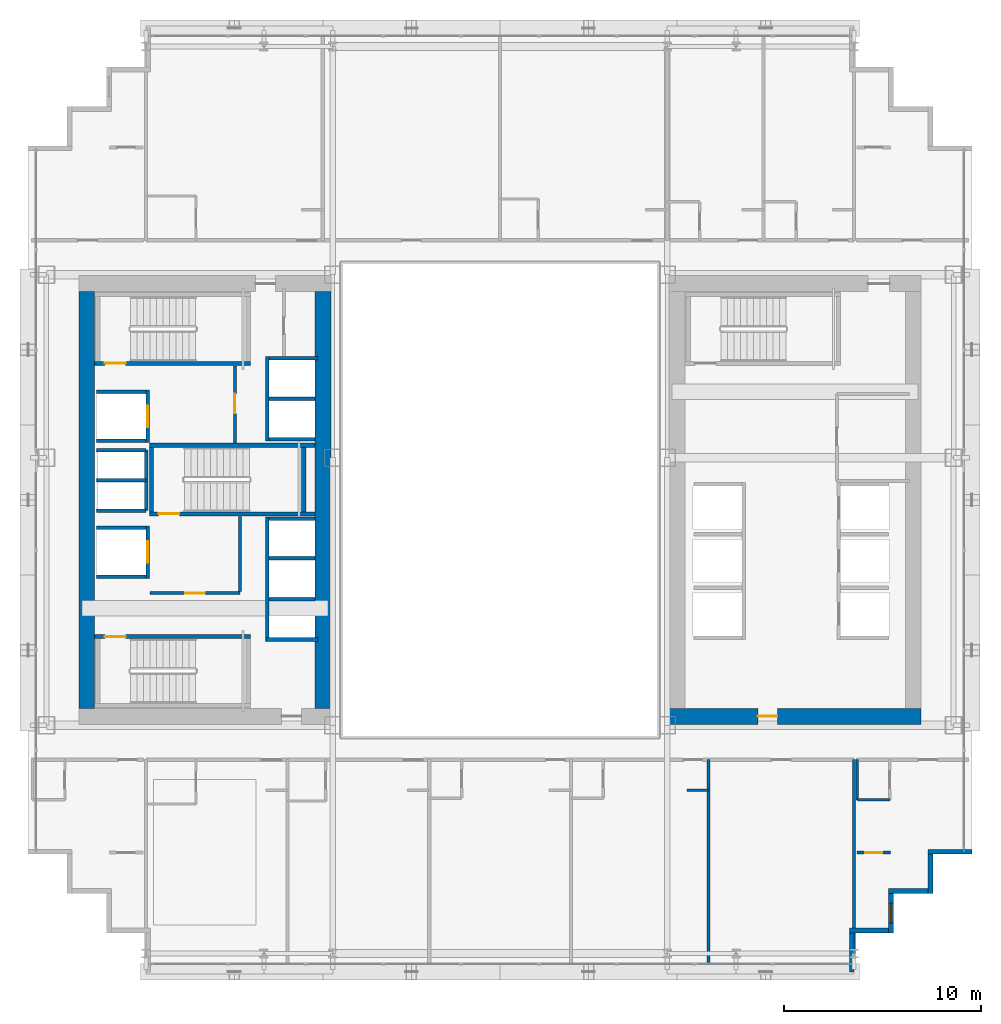
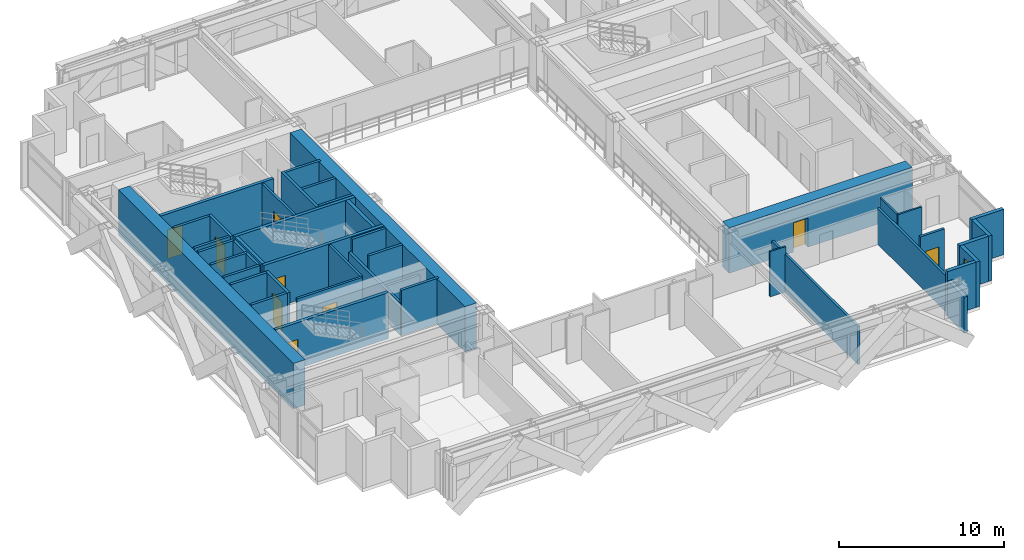
# One storey, part 28 of 35: 43 walls, 9 doors, 1 window, 10 openings.
"""IFC4 building model written with IfcOpenShell, lengths in metres."""

from ifc_helpers import new_model, si_unit, direction, frame, frame_2d, origin, place, context, subcontext, project, spatial, rectangle, extrude, source, transform, mapped, material, layer, layer_set, type_object, element, fill, save


model = new_model("IFC4")

# Units and contexts
model_context = context("Model", 3, precision=1e-05, world=origin(), true_north=direction((0.0, 1.0)))
body_context = subcontext(model_context, "Body", "Model", "MODEL_VIEW")
ifc_project = project(units=[si_unit("LENGTHUNIT", "METRE"), si_unit("AREAUNIT", "SQUARE_METRE"), si_unit("VOLUMEUNIT", "CUBIC_METRE"), si_unit("PLANEANGLEUNIT", "RADIAN"), si_unit("MASSUNIT", "GRAM", prefix="KILO")], contexts=[model_context])

# Site, building, storey
site_placement = place(None, origin())
site = spatial("IfcSite", under=ifc_project, at=site_placement, CompositionType="ELEMENT")
building_placement = place(site_placement, origin())
building = spatial("IfcBuilding", under=site, at=building_placement, Name="Ocotamira Hotel", CompositionType="ELEMENT")
storey_placement = place(building_placement, frame((0.0, 0.0, 78.0)))
storey = spatial("IfcBuildingStorey", under=building, at=storey_placement, Name="L19", CompositionType="ELEMENT", Elevation=78.0)

# Walls
ifc_material_1 = material(Name="Concrete C60/75", Category="concrete")
ifc_layer_1 = layer(ifc_material_1, 0.800048828125)
ifc_layer_set_1 = layer_set([ifc_layer_1], Name="Concrete C60/75")
wall_type_1 = type_object("IfcWallType", Name="WL-CORE-800", PredefinedType="SHEAR", material=ifc_layer_set_1)
for number, where, z_axis, x_axis, name in (
    (1, (11.0, 15.39990234375, 0.0), (0.0, 0.0, 1.0), (0.0, 1.0, 0.0), "L19 Shear Core Wall WCORE-W"),
    (2, (23.0, 15.39990234375, 0.0), (0.0, 0.0, 1.0), (0.0, 1.0, 0.0), "L19 Shear Core Wall WCORE-E"),
):
    element("IfcWall", number, at=place(storey_placement, frame(where, z_axis=z_axis, x_axis=x_axis)), inside=storey, type_object=wall_type_1, Name=name, PredefinedType="SHEAR", context=body_context, shape_type="SweptSolid", body=[
        extrude(rectangle(XDim=21.2001953125, YDim=0.800048828125, at=frame_2d((10.60009765625, 0.0))), origin(), (0.0, 0.0, 1.0), 3.35009765625),
    ])

# Wall, opening, door
wall_1_placement = place(storey_placement, frame((40.60009765625, 15.0, 0.0), z_axis=(0.0, 0.0, 1.0), x_axis=(1.0, 0.0, 0.0)))
wall_1 = element("IfcWall", 3, at=wall_1_placement, inside=storey, type_object=wall_type_1, Name="L19 Shear Core Wall ECORE-S", PredefinedType="SHEAR", context=body_context, shape_type="SweptSolid", body=[
    extrude(rectangle(XDim=12.7998046875, YDim=0.800048828125, at=frame_2d((6.39990234375, 0.0))), origin(), (0.0, 0.0, 1.0), 3.35009765625),
])
opening_1_placement = place(wall_1_placement, frame((4.5, 0.0, 0.0)))
opening_1 = element("IfcOpeningElement", 4, at=opening_1_placement, cuts=wall_1, Name="Opening D-FR2", PredefinedType="OPENING", context=body_context, shape_type="SweptSolid", body=[
    extrude(rectangle(XDim=1.0, YDim=2.14990234375, at=frame_2d((0.5, 1.074951171875))), frame((0.0, 0.41015625, 0.0), z_axis=(0.0, -1.0, 0.0), x_axis=(1.0, 0.0, 0.0)), (0.0, 0.0, 1.0), 0.820068359375),
])
ifc_material_2 = material(Name="Fire-rated acoustic timber-veneer door", Category="wood")
door_type_1 = type_object("IfcDoorType", Name="DR-FIRE-1000", OperationType="NOTDEFINED", PredefinedType="DOOR", material=ifc_material_2)
shared_shape_1 = source(origin(), body_context, "Body", "SweptSolid", [
    extrude(rectangle(XDim=1.0, YDim=2.14990234375, at=frame_2d((0.5, 1.074951171875))), frame((0.0, 0.02490234375, 0.0), z_axis=(0.0, -1.0, 0.0), x_axis=(1.0, 0.0, 0.0)), (0.0, 0.0, 1.0), 0.050048828125),
])
door_1_placement = place(opening_1_placement, origin())
door_1 = element("IfcDoor", 5, at=door_1_placement, inside=storey, type_object=door_type_1, Name="L19 Door ID-L19-ELOB-S-D [ID-L19-ELOB-S-D]", OperationType="SINGLE_SWING_RIGHT", OverallHeight=2.14990234375, OverallWidth=1.0, PredefinedType="DOOR", context=body_context, shape_type="MappedRepresentation", body=[
    mapped(shared_shape_1, transform((0.0, 0.0, 0.0), scale=1.0)),
])
fill(opening_1, door_1)

# Walls
ifc_material_3 = material(Name="Precast concrete C45/55", Category="concrete")
ifc_layer_2 = layer(ifc_material_3, 0.25)
ifc_layer_set_2 = layer_set([ifc_layer_2], Name="Precast concrete C45/55")
wall_type_2 = type_object("IfcWallType", Name="WL-EXT-SER-250", PredefinedType="SOLIDWALL", material=ifc_layer_set_2)
wall_2_placement = place(storey_placement, frame((49.875, 2.0, 0.0), z_axis=(0.0, 0.0, 1.0), x_axis=(0.0, 1.0, 0.0)))
element("IfcWall", 6, at=wall_2_placement, inside=storey, type_object=wall_type_2, Name="L19 Serrated Corner Wall 01", PredefinedType="SOLIDWALL", context=body_context, shape_type="SweptSolid", body=[
    extrude(rectangle(XDim=2.0, YDim=0.25, at=frame_2d((1.0, 0.0))), origin(), (0.0, 0.0, 1.0), 2.656982421875),
])
wall_3_placement = place(storey_placement, frame((49.75, 4.125, 0.0), z_axis=(0.0, 0.0, 1.0), x_axis=(1.0, 0.0, 0.0)))
element("IfcWall", 7, at=wall_3_placement, inside=storey, type_object=wall_type_2, Name="L19 Serrated Corner Wall 02", PredefinedType="SOLIDWALL", context=body_context, shape_type="SweptSolid", body=[
    extrude(rectangle(XDim=2.0, YDim=0.25, at=frame_2d((1.0, 0.0))), origin(), (0.0, 0.0, 1.0), 3.35009765625),
])

# Wall, opening, window
wall_4_placement = place(storey_placement, frame((51.875, 4.0, 0.0), z_axis=(0.0, 0.0, 1.0), x_axis=(0.0, 1.0, 0.0)))
wall_4 = element("IfcWall", 8, at=wall_4_placement, inside=storey, type_object=wall_type_2, Name="L19 Serrated Corner Wall 03", PredefinedType="SOLIDWALL", context=body_context, shape_type="SweptSolid", body=[
    extrude(rectangle(XDim=2.0, YDim=0.25, at=frame_2d((1.0, 0.0))), origin(), (0.0, 0.0, 1.0), 3.35009765625),
])
opening_2_placement = place(wall_4_placement, frame((0.5, 0.0, 0.85009765625)))
opening_2 = element("IfcOpeningElement", 9, at=opening_2_placement, cuts=wall_4, Name="Opening WN-2", PredefinedType="OPENING", context=body_context, shape_type="SweptSolid", body=[
    extrude(rectangle(XDim=1.0, YDim=1.89990234375, at=frame_2d((0.5, 0.949951171875))), frame((0.0, 0.135009765625, 0.0), z_axis=(0.0, -1.0, 0.0), x_axis=(1.0, 0.0, 0.0)), (0.0, 0.0, 1.0), 0.27001953125),
])
ifc_material_4 = material(Name="Double-silver low-E solar glass", Category="glass")
window_type = type_object("IfcWindowType", Name="WIN-SER-1100", PartitioningType="SINGLE_PANEL", PredefinedType="WINDOW", material=ifc_material_4)
shared_shape_2 = source(origin(), body_context, "Body", "SweptSolid", [
    extrude(rectangle(XDim=1.0, YDim=1.89990234375, at=frame_2d((0.5, 0.949951171875))), frame((0.0, 0.030029296875, 0.0), z_axis=(0.0, -1.0, 0.0), x_axis=(1.0, 0.0, 0.0)), (0.0, 0.0, 1.0), 0.06005859375),
])
window_placement = place(opening_2_placement, origin())
window = element("IfcWindow", 10, at=window_placement, inside=storey, type_object=window_type, Name="L19 Serrated Corner Window 03", OverallHeight=1.89990234375, OverallWidth=1.0, PartitioningType="SINGLE_PANEL", PredefinedType="WINDOW", context=body_context, shape_type="MappedRepresentation", body=[
    mapped(shared_shape_2, transform((0.0, 0.0, 0.0), scale=1.0)),
])
fill(opening_2, window)

# Walls
for number, where, z_axis, x_axis, name in (
    (11, (51.75, 6.125, 0.0), (0.0, 0.0, 1.0), (1.0, 0.0, 0.0), "L19 Serrated Corner Wall 04"),
    (12, (53.875, 6.0, 0.0), (0.0, 0.0, 1.0), (0.0, 1.0, 0.0), "L19 Serrated Corner Wall 05"),
):
    element("IfcWall", number, at=place(storey_placement, frame(where, z_axis=z_axis, x_axis=x_axis)), inside=storey, type_object=wall_type_2, Name=name, PredefinedType="SOLIDWALL", context=body_context, shape_type="SweptSolid", body=[
        extrude(rectangle(XDim=2.0, YDim=0.25, at=frame_2d((1.0, 0.0))), origin(), (0.0, 0.0, 1.0), 3.35009765625),
    ])
wall_5_placement = place(storey_placement, frame((53.75, 8.125, 0.0), z_axis=(0.0, 0.0, 1.0), x_axis=(1.0, 0.0, 0.0)))
element("IfcWall", 13, at=wall_5_placement, inside=storey, type_object=wall_type_2, Name="L19 Serrated Corner Wall 06", PredefinedType="SOLIDWALL", context=body_context, shape_type="SweptSolid", body=[
    extrude(rectangle(XDim=2.25, YDim=0.25, at=frame_2d((1.125, 0.0))), origin(), (0.0, 0.0, 1.0), 3.35009765625),
])

# Wall, opening, door
ifc_material_5 = material(Name="Acoustic double-layer fire gypsum board partition", Category="gypsum")
ifc_layer_3 = layer(ifc_material_5, 0.159912109375)
ifc_layer_set_3 = layer_set([ifc_layer_3], Name="Acoustic double-layer fire gypsum board partition")
wall_type_3 = type_object("IfcWallType", Name="WL-FIRE-160", PredefinedType="PARTITIONING", material=ifc_layer_set_3)
wall_6_placement = place(storey_placement, frame((14.199951171875, 21.27001953125, 0.0), z_axis=(0.0, 0.0, 1.0), x_axis=(1.0, 0.0, 0.0)))
wall_6 = element("IfcWall", 14, at=wall_6_placement, inside=storey, type_object=wall_type_3, Name="L19 Interior Wall PW-L19-FSAE1-S", PredefinedType="PARTITIONING", context=body_context, shape_type="SweptSolid", body=[
    extrude(rectangle(XDim=4.580078125, YDim=0.159912109375, at=frame_2d((2.2900390625, 0.0))), origin(), (0.0, 0.0, 1.0), 3.35009765625),
])
opening_3_placement = place(wall_6_placement, frame((1.800048828125, 0.0, 0.0)))
opening_3 = element("IfcOpeningElement", 15, at=opening_3_placement, cuts=wall_6, Name="Opening D-FR2", PredefinedType="OPENING", context=body_context, shape_type="SweptSolid", body=[
    extrude(rectangle(XDim=1.0, YDim=2.14990234375, at=frame_2d((0.5, 1.074951171875))), frame((0.0, 0.08984375, 0.0), z_axis=(0.0, -1.0, 0.0), x_axis=(1.0, 0.0, 0.0)), (0.0, 0.0, 1.0), 0.179931640625),
])
door_2_placement = place(opening_3_placement, origin())
door_2 = element("IfcDoor", 16, at=door_2_placement, inside=storey, type_object=door_type_1, Name="L19 Door ID-L19-FSAE1-D [ID-L19-FSAE1-D]", OperationType="SINGLE_SWING_LEFT", OverallHeight=2.14990234375, OverallWidth=1.0, PredefinedType="DOOR", context=body_context, shape_type="MappedRepresentation", body=[
    mapped(shared_shape_1, transform((0.0, 0.0, 0.0), scale=1.0)),
])
fill(opening_3, door_2)

# Wall
wall_7_placement = place(storey_placement, frame((18.780029296875, 21.35009765625, 0.0), z_axis=(0.0, 0.0, 1.0), x_axis=(0.0, 1.0, 0.0)))
element("IfcWall", 17, at=wall_7_placement, inside=storey, type_object=wall_type_3, Name="L19 Interior Wall PW-L19-FSAE1-E", PredefinedType="PARTITIONING", context=body_context, shape_type="SweptSolid", body=[
    extrude(rectangle(XDim=3.809814453125, YDim=0.159912109375, at=frame_2d((1.90478515625, 0.0))), origin(), (0.0, 0.0, 1.0), 3.35009765625),
])

# Wall, opening, door
wall_8_placement = place(storey_placement, frame((18.530029296875, 28.89990234375, 0.0), z_axis=(0.0, 0.0, 1.0), x_axis=(0.0, 1.0, 0.0)))
wall_8 = element("IfcWall", 18, at=wall_8_placement, inside=storey, type_object=wall_type_3, Name="L19 Interior Wall PW-L19-FSAE2-E", PredefinedType="PARTITIONING", context=body_context, shape_type="SweptSolid", body=[
    extrude(rectangle(XDim=3.900146484375, YDim=0.159912109375, at=frame_2d((1.9501953125, 0.0))), origin(), (0.0, 0.0, 1.0), 3.35009765625),
])
opening_4_placement = place(wall_8_placement, frame((1.5, 0.0, 0.0)))
opening_4 = element("IfcOpeningElement", 19, at=opening_4_placement, cuts=wall_8, Name="Opening D-FR2", PredefinedType="OPENING", context=body_context, shape_type="SweptSolid", body=[
    extrude(rectangle(XDim=1.0, YDim=2.14990234375, at=frame_2d((0.5, 1.074951171875))), frame((0.0, 0.08984375, 0.0), z_axis=(0.0, -1.0, 0.0), x_axis=(1.0, 0.0, 0.0)), (0.0, 0.0, 1.0), 0.179931640625),
])
door_3_placement = place(opening_4_placement, origin())
door_3 = element("IfcDoor", 20, at=door_3_placement, inside=storey, type_object=door_type_1, Name="L19 Door ID-L19-FSAE2-D [ID-L19-FSAE2-D]", OperationType="SINGLE_SWING_RIGHT", OverallHeight=2.14990234375, OverallWidth=1.0, PredefinedType="DOOR", context=body_context, shape_type="MappedRepresentation", body=[
    mapped(shared_shape_1, transform((0.0, 0.0, 0.0), scale=1.0)),
])
fill(opening_4, door_3)

wall_9_placement = place(storey_placement, frame((50.14990234375, 8.080078125, 0.0), z_axis=(0.0, 0.0, 1.0), x_axis=(1.0, 0.0, 0.0)))
wall_9 = element("IfcWall", 21, at=wall_9_placement, inside=storey, type_object=wall_type_3, Name="L19 Interior Wall PW-L19-Z1E-CSE2-CW", PredefinedType="PARTITIONING", context=body_context, shape_type="SweptSolid", body=[
    extrude(rectangle(XDim=1.7001953125, YDim=0.159912109375, at=frame_2d((0.85009765625, 0.0))), origin(), (0.0, 0.0, 1.0), 3.35009765625),
])
opening_5_placement = place(wall_9_placement, frame((0.409912109375, 0.0, 0.0)))
opening_5 = element("IfcOpeningElement", 22, at=opening_5_placement, cuts=wall_9, Name="Opening D-SV2", PredefinedType="OPENING", context=body_context, shape_type="SweptSolid", body=[
    extrude(rectangle(XDim=0.8798828125, YDim=2.14990234375, at=frame_2d((0.43994140625, 1.074951171875))), frame((0.0, 0.08984375, 0.0), z_axis=(0.0, -1.0, 0.0), x_axis=(1.0, 0.0, 0.0)), (0.0, 0.0, 1.0), 0.179931640625),
])
ifc_material_6 = material(Name="Fire-rated painted steel service door", Category="steel")
door_type_2 = type_object("IfcDoorType", Name="DR-SERV-880", OperationType="NOTDEFINED", PredefinedType="DOOR", material=ifc_material_6)
shared_shape_3 = source(origin(), body_context, "Body", "SweptSolid", [
    extrude(rectangle(XDim=0.8798828125, YDim=2.14990234375, at=frame_2d((0.43994140625, 1.074951171875))), frame((0.0, 0.02490234375, 0.0), z_axis=(0.0, -1.0, 0.0), x_axis=(1.0, 0.0, 0.0)), (0.0, 0.0, 1.0), 0.050048828125),
])
door_4_placement = place(opening_5_placement, origin())
door_4 = element("IfcDoor", 23, at=door_4_placement, inside=storey, type_object=door_type_2, Name="L19 Door ID-L19-Z1E-CSE2-CD [ID-L19-Z1E-CSE2-CD]", OperationType="SINGLE_SWING_LEFT", OverallHeight=2.14990234375, OverallWidth=0.8798828125, PredefinedType="DOOR", context=body_context, shape_type="MappedRepresentation", body=[
    mapped(shared_shape_3, transform((0.0, 0.0, 0.0), scale=1.0)),
])
fill(opening_5, door_4)

# Walls
ifc_material_7 = material(Name="Moisture-resistant en-suite tile and gypsum partition", Category="gypsum")
ifc_layer_4 = layer(ifc_material_7, 0.1201171875)
ifc_layer_set_4 = layer_set([ifc_layer_4], Name="Moisture-resistant en-suite tile and gypsum partition")
wall_type_4 = type_object("IfcWallType", Name="WL-PART-120", PredefinedType="PARTITIONING", material=ifc_layer_set_4)
wall_10_placement = place(storey_placement, frame((50.159912109375, 10.760009765625, 0.0), z_axis=(0.0, 0.0, 1.0), x_axis=(0.0, 1.0, 0.0)))
element("IfcWall", 24, at=wall_10_placement, inside=storey, type_object=wall_type_4, Name="L19 Interior Wall PW-L19-Z1E-CSE-BW", PredefinedType="PARTITIONING", context=body_context, shape_type="SweptSolid", body=[
    extrude(rectangle(XDim=2.0400390625, YDim=0.1201171875, at=frame_2d((1.02001953125, 0.0))), origin(), (0.0, 0.0, 1.0), 3.35009765625),
])
wall_11_placement = place(storey_placement, frame((50.159912109375, 10.760009765625, 0.0), z_axis=(0.0, 0.0, 1.0), x_axis=(1.0, 0.0, 0.0)))
element("IfcWall", 25, at=wall_11_placement, inside=storey, type_object=wall_type_4, Name="L19 Interior Wall PW-L19-Z1E-CSE-BH", PredefinedType="PARTITIONING", context=body_context, shape_type="SweptSolid", body=[
    extrude(rectangle(XDim=1.650146484375, YDim=0.1201171875, at=frame_2d((0.8251953125, 0.0))), origin(), (0.0, 0.0, 1.0), 3.35009765625),
])
wall_12_placement = place(storey_placement, frame((41.5, 11.25, 0.0), z_axis=(0.0, 0.0, 1.0), x_axis=(1.0, 0.0, 0.0)))
element("IfcWall", 26, at=wall_12_placement, inside=storey, type_object=wall_type_4, Name="L19 Interior Wall PW-L19-Z1ES-DRN4", PredefinedType="PARTITIONING", context=body_context, shape_type="SweptSolid", body=[
    extrude(rectangle(XDim=1.10009765625, YDim=0.1201171875, at=frame_2d((0.550048828125, 0.0))), origin(), (0.0, 0.0, 1.0), 3.35009765625),
])
ifc_material_8 = material(Name="Acoustic double-stud hospitality gypsum partition", Category="gypsum")
ifc_layer_5 = layer(ifc_material_8, 0.159912109375)
ifc_layer_set_5 = layer_set([ifc_layer_5], Name="Acoustic double-stud hospitality gypsum partition")
wall_type_5 = type_object("IfcWallType", Name="WL-PART-160", PredefinedType="PARTITIONING", material=ifc_layer_set_5)
wall_13_placement = place(storey_placement, frame((50.0, 2.360107421875, 0.0), z_axis=(0.0, 0.0, 1.0), x_axis=(0.0, 1.0, 0.0)))
element("IfcWall", 27, at=wall_13_placement, inside=storey, type_object=wall_type_5, Name="L19 Interior Wall PW-L19-Z1ES-PWEND", PredefinedType="PARTITIONING", context=body_context, shape_type="SweptSolid", body=[
    extrude(rectangle(XDim=10.43994140625, YDim=0.159912109375, at=frame_2d((5.219970703125, 0.0))), origin(), (0.0, 0.0, 1.0), 2.656982421875),
])
wall_14_placement = place(storey_placement, frame((42.60009765625, 2.360107421875, 0.0), z_axis=(0.0, 0.0, 1.0), x_axis=(0.0, 1.0, 0.0)))
element("IfcWall", 28, at=wall_14_placement, inside=storey, type_object=wall_type_5, Name="L19 Interior Wall PW-L19-Z1ES-PW4", PredefinedType="PARTITIONING", context=body_context, shape_type="SweptSolid", body=[
    extrude(rectangle(XDim=10.43994140625, YDim=0.159912109375, at=frame_2d((5.219970703125, 0.0))), origin(), (0.0, 0.0, 1.0), 2.81298828125),
])
ifc_material_9 = material(Name="Fire-rated gypsum shaftliner board assembly", Category="gypsum")
ifc_layer_6 = layer(ifc_material_9, 0.179931640625)
ifc_layer_set_6 = layer_set([ifc_layer_6], Name="Fire-rated gypsum shaftliner board assembly")
wall_type_6 = type_object("IfcWallType", Name="WL-SHAFT-180", PredefinedType="SOLIDWALL", material=ifc_layer_set_6)
wall_15_placement = place(storey_placement, frame((20.159912109375, 18.820068359375, 0.0), z_axis=(0.0, 0.0, 1.0), x_axis=(0.0, 1.0, 0.0)))
element("IfcWall", 29, at=wall_15_placement, inside=storey, type_object=wall_type_6, Name="L19 Interior Wall PW-L19-LFW-BANK-high-F", PredefinedType="SOLIDWALL", context=body_context, shape_type="SweptSolid", body=[
    extrude(rectangle(XDim=6.31982421875, YDim=0.179931640625, at=frame_2d((3.159912109375, 0.0))), origin(), (0.0, 0.0, 1.0), 2.360107421875),
])
wall_16_placement = place(storey_placement, frame((20.1201171875, 18.909912109375, 0.0), z_axis=(0.0, 0.0, 1.0), x_axis=(1.0, 0.0, 0.0)))
element("IfcWall", 30, at=wall_16_placement, inside=storey, type_object=wall_type_6, Name="L19 Interior Wall PW-L19-LFW-BANK-high-S", PredefinedType="SOLIDWALL", context=body_context, shape_type="SweptSolid", body=[
    extrude(rectangle(XDim=2.6298828125, YDim=0.179931640625, at=frame_2d((1.31494140625, 0.0))), origin(), (0.0, 0.0, 1.0), 3.35009765625),
])
wall_17_placement = place(storey_placement, frame((20.25, 25.050048828125, 0.0), z_axis=(0.0, 0.0, 1.0), x_axis=(1.0, 0.0, 0.0)))
element("IfcWall", 31, at=wall_17_placement, inside=storey, type_object=wall_type_6, Name="L19 Interior Wall PW-L19-LFW-BANK-high-N", PredefinedType="SOLIDWALL", context=body_context, shape_type="SweptSolid", body=[
    extrude(rectangle(XDim=2.360107421875, YDim=0.179931640625, at=frame_2d((1.18017578125, 0.0))), origin(), (0.0, 0.0, 1.0), 3.35009765625),
])
wall_18_placement = place(storey_placement, frame((20.25, 20.965087890625, 0.0), z_axis=(0.0, 0.0, 1.0), x_axis=(1.0, 0.0, 0.0)))
element("IfcWall", 32, at=wall_18_placement, inside=storey, type_object=wall_type_6, Name="L19 Interior Wall PW-L19-LFW-DIV-LF-P7", PredefinedType="SOLIDWALL", context=body_context, shape_type="SweptSolid", body=[
    extrude(rectangle(XDim=2.360107421875, YDim=0.179931640625, at=frame_2d((1.18017578125, 0.0))), origin(), (0.0, 0.0, 1.0), 2.360107421875),
])
wall_19_placement = place(storey_placement, frame((20.25, 23.044921875, 0.0), z_axis=(0.0, 0.0, 1.0), x_axis=(1.0, 0.0, 0.0)))
element("IfcWall", 33, at=wall_19_placement, inside=storey, type_object=wall_type_6, Name="L19 Interior Wall PW-L19-LFW-DIV-LF-P8", PredefinedType="SOLIDWALL", context=body_context, shape_type="SweptSolid", body=[
    extrude(rectangle(XDim=2.360107421875, YDim=0.179931640625, at=frame_2d((1.18017578125, 0.0))), origin(), (0.0, 0.0, 1.0), 3.35009765625),
])
wall_20_placement = place(storey_placement, frame((20.159912109375, 29.0, 0.0), z_axis=(0.0, 0.0, 1.0), x_axis=(0.0, 1.0, 0.0)))
element("IfcWall", 34, at=wall_20_placement, inside=storey, type_object=wall_type_6, Name="L19 Interior Wall PW-L19-LFW-BANK-obs-F", PredefinedType="SOLIDWALL", context=body_context, shape_type="SweptSolid", body=[
    extrude(rectangle(XDim=4.2900390625, YDim=0.179931640625, at=frame_2d((2.14501953125, 0.0))), origin(), (0.0, 0.0, 1.0), 3.35009765625),
])
wall_21_placement = place(storey_placement, frame((20.25, 29.090087890625, 0.0), z_axis=(0.0, 0.0, 1.0), x_axis=(1.0, 0.0, 0.0)))
element("IfcWall", 35, at=wall_21_placement, inside=storey, type_object=wall_type_6, Name="L19 Interior Wall PW-L19-LFW-BANK-obs-S", PredefinedType="SOLIDWALL", context=body_context, shape_type="SweptSolid", body=[
    extrude(rectangle(XDim=2.360107421875, YDim=0.179931640625, at=frame_2d((1.18017578125, 0.0))), origin(), (0.0, 0.0, 1.0), 3.35009765625),
])
wall_22_placement = place(storey_placement, frame((20.25, 33.199951171875, 0.0), z_axis=(0.0, 0.0, 1.0), x_axis=(1.0, 0.0, 0.0)))
element("IfcWall", 36, at=wall_22_placement, inside=storey, type_object=wall_type_6, Name="L19 Interior Wall PW-L19-LFW-BANK-obs-N", PredefinedType="SOLIDWALL", context=body_context, shape_type="SweptSolid", body=[
    extrude(rectangle(XDim=2.5, YDim=0.179931640625, at=frame_2d((1.25, 0.0))), origin(), (0.0, 0.0, 1.0), 3.35009765625),
])
wall_23_placement = place(storey_placement, frame((20.25, 31.14501953125, 0.0), z_axis=(0.0, 0.0, 1.0), x_axis=(1.0, 0.0, 0.0)))
element("IfcWall", 37, at=wall_23_placement, inside=storey, type_object=wall_type_6, Name="L19 Interior Wall PW-L19-LFW-DIV-LF-OBS1", PredefinedType="SOLIDWALL", context=body_context, shape_type="SweptSolid", body=[
    extrude(rectangle(XDim=2.360107421875, YDim=0.179931640625, at=frame_2d((1.18017578125, 0.0))), origin(), (0.0, 0.0, 1.0), 3.35009765625),
])
for number, where, z_axis, x_axis, name in (
    (38, (11.5, 22.110107421875, 0.0), (0.0, 0.0, 1.0), (1.0, 0.0, 0.0), "L19 Interior Wall PW-L19-LFW-LF-FSAE1-S"),
    (39, (11.5, 24.590087890625, 0.0), (0.0, 0.0, 1.0), (1.0, 0.0, 0.0), "L19 Interior Wall PW-L19-LFW-LF-FSAE1-N"),
):
    element("IfcWall", number, at=place(storey_placement, frame(where, z_axis=z_axis, x_axis=x_axis)), inside=storey, type_object=wall_type_6, Name=name, PredefinedType="SOLIDWALL", context=body_context, shape_type="SweptSolid", body=[
        extrude(rectangle(XDim=2.5, YDim=0.179931640625, at=frame_2d((1.25, 0.0))), origin(), (0.0, 0.0, 1.0), 3.35009765625),
    ])

# Wall, opening, door
wall_24_placement = place(storey_placement, frame((14.090087890625, 22.02001953125, 0.0), z_axis=(0.0, 0.0, 1.0), x_axis=(0.0, 1.0, 0.0)))
wall_24 = element("IfcWall", 40, at=wall_24_placement, inside=storey, type_object=wall_type_6, Name="L19 Interior Wall PW-L19-LFW-LF-FSAE1-E", PredefinedType="SOLIDWALL", context=body_context, shape_type="SweptSolid", body=[
    extrude(rectangle(XDim=2.659912109375, YDim=0.179931640625, at=frame_2d((1.330078125, 0.0))), origin(), (0.0, 0.0, 1.0), 3.35009765625),
])
opening_6_placement = place(wall_24_placement, frame((0.780029296875, 0.0, 0.0)))
opening_6 = element("IfcOpeningElement", 41, at=opening_6_placement, cuts=wall_24, Name="Opening LD-LF-FSAE1", PredefinedType="OPENING", context=body_context, shape_type="SweptSolid", body=[
    extrude(rectangle(XDim=1.10009765625, YDim=2.199951171875, at=frame_2d((0.550048828125, 1.10009765625))), frame((0.0, 0.10009765625, 0.0), z_axis=(0.0, -1.0, 0.0), x_axis=(1.0, 0.0, 0.0)), (0.0, 0.0, 1.0), 0.199951171875),
])
ifc_material_10 = material(Name="Brushed pale-metal stainless elevator landing door", Category="steel")
door_type_3 = type_object("IfcDoorType", Name="DR-LIFT-1100", OperationType="NOTDEFINED", PredefinedType="DOOR", material=ifc_material_10)
shared_shape_4 = source(origin(), body_context, "Body", "SweptSolid", [
    extrude(rectangle(XDim=1.10009765625, YDim=2.199951171875, at=frame_2d((0.550048828125, 1.10009765625))), frame((0.0, 0.02490234375, 0.0), z_axis=(0.0, -1.0, 0.0), x_axis=(1.0, 0.0, 0.0)), (0.0, 0.0, 1.0), 0.050048828125),
])
door_5_placement = place(opening_6_placement, origin())
door_5 = element("IfcDoor", 42, at=door_5_placement, inside=storey, type_object=door_type_3, Name="L19 Landing Door LD-LF-FSAE1 [ID-L19-LD-LF-FSAE1]", OperationType="DOUBLE_DOOR_SLIDING", OverallHeight=2.199951171875, OverallWidth=1.10009765625, PredefinedType="DOOR", context=body_context, shape_type="MappedRepresentation", body=[
    mapped(shared_shape_4, transform((0.0, 0.0, 0.0), scale=1.0)),
])
fill(opening_6, door_5)

# Walls
for number, where, z_axis, x_axis, name in (
    (43, (11.5, 29.010009765625, 0.0), (0.0, 0.0, 1.0), (1.0, 0.0, 0.0), "L19 Interior Wall PW-L19-LFW-LF-FSAE2-S"),
    (44, (11.5, 31.489990234375, 0.0), (0.0, 0.0, 1.0), (1.0, 0.0, 0.0), "L19 Interior Wall PW-L19-LFW-LF-FSAE2-N"),
):
    element("IfcWall", number, at=place(storey_placement, frame(where, z_axis=z_axis, x_axis=x_axis)), inside=storey, type_object=wall_type_6, Name=name, PredefinedType="SOLIDWALL", context=body_context, shape_type="SweptSolid", body=[
        extrude(rectangle(XDim=2.5, YDim=0.179931640625, at=frame_2d((1.25, 0.0))), origin(), (0.0, 0.0, 1.0), 3.35009765625),
    ])

# Wall, opening, door
wall_25_placement = place(storey_placement, frame((14.090087890625, 28.919921875, 0.0), z_axis=(0.0, 0.0, 1.0), x_axis=(0.0, 1.0, 0.0)))
wall_25 = element("IfcWall", 45, at=wall_25_placement, inside=storey, type_object=wall_type_6, Name="L19 Interior Wall PW-L19-LFW-LF-FSAE2-E", PredefinedType="SOLIDWALL", context=body_context, shape_type="SweptSolid", body=[
    extrude(rectangle(XDim=2.66015625, YDim=0.179931640625, at=frame_2d((1.330078125, 0.0))), origin(), (0.0, 0.0, 1.0), 3.35009765625),
])
opening_7_placement = place(wall_25_placement, frame((0.780029296875, 0.0, 0.0)))
opening_7 = element("IfcOpeningElement", 46, at=opening_7_placement, cuts=wall_25, Name="Opening LD-LF-FSAE2", PredefinedType="OPENING", context=body_context, shape_type="SweptSolid", body=[
    extrude(rectangle(XDim=1.10009765625, YDim=2.199951171875, at=frame_2d((0.550048828125, 1.10009765625))), frame((0.0, 0.10009765625, 0.0), z_axis=(0.0, -1.0, 0.0), x_axis=(1.0, 0.0, 0.0)), (0.0, 0.0, 1.0), 0.199951171875),
])
door_6_placement = place(opening_7_placement, origin())
door_6 = element("IfcDoor", 47, at=door_6_placement, inside=storey, type_object=door_type_3, Name="L19 Landing Door LD-LF-FSAE2 [ID-L19-LD-LF-FSAE2]", OperationType="DOUBLE_DOOR_SLIDING", OverallHeight=2.199951171875, OverallWidth=1.10009765625, PredefinedType="DOOR", context=body_context, shape_type="MappedRepresentation", body=[
    mapped(shared_shape_4, transform((0.0, 0.0, 0.0), scale=1.0)),
])
fill(opening_7, door_6)

# Walls
for number, where, z_axis, x_axis, name in (
    (48, (11.5, 25.4599609375, 0.0), (0.0, 0.0, 1.0), (1.0, 0.0, 0.0), "L19 Interior Wall PW-L19-RSW-S"),
    (49, (11.5, 27.0, 0.0), (0.0, 0.0, 1.0), (1.0, 0.0, 0.0), "L19 Interior Wall PW-L19-RSW-MID"),
    (50, (11.5, 28.5400390625, 0.0), (0.0, 0.0, 1.0), (1.0, 0.0, 0.0), "L19 Interior Wall PW-L19-RSW-N"),
):
    element("IfcWall", number, at=place(storey_placement, frame(where, z_axis=z_axis, x_axis=x_axis)), inside=storey, type_object=wall_type_6, Name=name, PredefinedType="SOLIDWALL", context=body_context, shape_type="SweptSolid", body=[
        extrude(rectangle(XDim=2.510009765625, YDim=0.179931640625, at=frame_2d((1.2548828125, 0.0))), origin(), (0.0, 0.0, 1.0), 3.35009765625),
    ])
wall_26_placement = place(storey_placement, frame((14.010009765625, 25.4599609375, 0.0), z_axis=(0.0, 0.0, 1.0), x_axis=(0.0, 1.0, 0.0)))
element("IfcWall", 51, at=wall_26_placement, inside=storey, type_object=wall_type_6, Name="L19 Interior Wall PW-L19-RSW-E", PredefinedType="SOLIDWALL", context=body_context, shape_type="SweptSolid", body=[
    extrude(rectangle(XDim=3.080078125, YDim=0.179931640625, at=frame_2d((1.5400390625, 0.0))), origin(), (0.0, 0.0, 1.0), 3.35009765625),
])

# Wall, opening, door
ifc_material_11 = material(Name="Concrete C50/60", Category="concrete")
ifc_layer_7 = layer(ifc_material_11, 0.219970703125)
ifc_layer_set_7 = layer_set([ifc_layer_7], Name="Concrete C50/60")
wall_type_7 = type_object("IfcWallType", Name="WL-STAIR-220", PredefinedType="SHEAR", material=ifc_layer_set_7)
wall_27_placement = place(storey_placement, frame((11.39990234375, 19.06005859375, 0.0), z_axis=(0.0, 0.0, 1.0), x_axis=(1.0, 0.0, 0.0)))
wall_27 = element("IfcWall", 52, at=wall_27_placement, inside=storey, type_object=wall_type_7, Name="L19 Stair Shaft Structural Wall ST-1-N", PredefinedType="SHEAR", context=body_context, shape_type="SweptSolid", body=[
    extrude(rectangle(XDim=7.91015625, YDim=0.219970703125, at=frame_2d((3.955078125, 0.0))), origin(), (0.0, 0.0, 1.0), 3.39990234375),
])
opening_8_placement = place(wall_27_placement, frame((0.52001953125, 0.0, 0.0)))
opening_8 = element("IfcOpeningElement", 53, at=opening_8_placement, cuts=wall_27, Name="Opening D-ST2", PredefinedType="OPENING", context=body_context, shape_type="SweptSolid", body=[
    extrude(rectangle(XDim=1.050048828125, YDim=2.14990234375, at=frame_2d((0.52490234375, 1.074951171875))), frame((0.0, 0.1201171875, 0.0), z_axis=(0.0, -1.0, 0.0), x_axis=(1.0, 0.0, 0.0)), (0.0, 0.0, 1.0), 0.239990234375),
])
ifc_material_12 = material(Name="Insulated painted hollow-metal fire exit door", Category="steel")
door_type_4 = type_object("IfcDoorType", Name="DR-STAIR-1050", OperationType="NOTDEFINED", PredefinedType="DOOR", material=ifc_material_12)
shared_shape_5 = source(origin(), body_context, "Body", "SweptSolid", [
    extrude(rectangle(XDim=1.050048828125, YDim=2.14990234375, at=frame_2d((0.52490234375, 1.074951171875))), frame((0.0, 0.02490234375, 0.0), z_axis=(0.0, -1.0, 0.0), x_axis=(1.0, 0.0, 0.0)), (0.0, 0.0, 1.0), 0.050048828125),
])
door_7_placement = place(opening_8_placement, origin())
door_7 = element("IfcDoor", 54, at=door_7_placement, inside=storey, type_object=door_type_4, Name="L19 Door ID-L19-STD-ST-1 [ID-L19-STD-ST-1]", OperationType="SINGLE_SWING_RIGHT", OverallHeight=2.14990234375, OverallWidth=1.050048828125, PredefinedType="DOOR", context=body_context, shape_type="MappedRepresentation", body=[
    mapped(shared_shape_5, transform((0.0, 0.0, 0.0), scale=1.0)),
])
fill(opening_8, door_7)

wall_28_placement = place(storey_placement, frame((11.39990234375, 32.93994140625, 0.0), z_axis=(0.0, 0.0, 1.0), x_axis=(1.0, 0.0, 0.0)))
wall_28 = element("IfcWall", 55, at=wall_28_placement, inside=storey, type_object=wall_type_7, Name="L19 Stair Shaft Structural Wall ST-2-S", PredefinedType="SHEAR", context=body_context, shape_type="SweptSolid", body=[
    extrude(rectangle(XDim=7.91015625, YDim=0.219970703125, at=frame_2d((3.955078125, 0.0))), origin(), (0.0, 0.0, 1.0), 3.39990234375),
])
opening_9_placement = place(wall_28_placement, frame((0.52001953125, 0.0, 0.0)))
opening_9 = element("IfcOpeningElement", 56, at=opening_9_placement, cuts=wall_28, Name="Opening D-ST2", PredefinedType="OPENING", context=body_context, shape_type="SweptSolid", body=[
    extrude(rectangle(XDim=1.050048828125, YDim=2.14990234375, at=frame_2d((0.52490234375, 1.074951171875))), frame((0.0, 0.1201171875, 0.0), z_axis=(0.0, -1.0, 0.0), x_axis=(1.0, 0.0, 0.0)), (0.0, 0.0, 1.0), 0.239990234375),
])
door_8_placement = place(opening_9_placement, origin())
door_8 = element("IfcDoor", 57, at=door_8_placement, inside=storey, type_object=door_type_4, Name="L19 Door ID-L19-STD-ST-2 [ID-L19-STD-ST-2]", OperationType="SINGLE_SWING_LEFT", OverallHeight=2.14990234375, OverallWidth=1.050048828125, PredefinedType="DOOR", context=body_context, shape_type="MappedRepresentation", body=[
    mapped(shared_shape_5, transform((0.0, 0.0, 0.0), scale=1.0)),
])
fill(opening_9, door_8)

wall_29_placement = place(storey_placement, frame((14.179931640625, 25.2900390625, 0.0), z_axis=(0.0, 0.0, 1.0), x_axis=(1.0, 0.0, 0.0)))
wall_29 = element("IfcWall", 58, at=wall_29_placement, inside=storey, type_object=wall_type_7, Name="L19 Stair Shaft Structural Wall ST-3-S", PredefinedType="SHEAR", context=body_context, shape_type="SweptSolid", body=[
    extrude(rectangle(XDim=8.420166015625, YDim=0.219970703125, at=frame_2d((4.2099609375, 0.0))), origin(), (0.0, 0.0, 1.0), 3.39990234375),
])
opening_10_placement = place(wall_29_placement, frame((0.469970703125, 0.0, 0.0)))
opening_10 = element("IfcOpeningElement", 59, at=opening_10_placement, cuts=wall_29, Name="Opening D-ST2", PredefinedType="OPENING", context=body_context, shape_type="SweptSolid", body=[
    extrude(rectangle(XDim=1.050048828125, YDim=2.14990234375, at=frame_2d((0.52490234375, 1.074951171875))), frame((0.0, 0.1201171875, 0.0), z_axis=(0.0, -1.0, 0.0), x_axis=(1.0, 0.0, 0.0)), (0.0, 0.0, 1.0), 0.239990234375),
])
door_9_placement = place(opening_10_placement, origin())
door_9 = element("IfcDoor", 60, at=door_9_placement, inside=storey, type_object=door_type_4, Name="L19 Door ID-L19-STD-ST-3 [ID-L19-STD-ST-3]", OperationType="SINGLE_SWING_RIGHT", OverallHeight=2.14990234375, OverallWidth=1.050048828125, PredefinedType="DOOR", context=body_context, shape_type="MappedRepresentation", body=[
    mapped(shared_shape_5, transform((0.0, 0.0, 0.0), scale=1.0)),
])
fill(opening_10, door_9)

# Walls
wall_30_placement = place(storey_placement, frame((14.179931640625, 28.7900390625, 0.0), z_axis=(0.0, 0.0, 1.0), x_axis=(1.0, 0.0, 0.0)))
element("IfcWall", 61, at=wall_30_placement, inside=storey, type_object=wall_type_7, Name="L19 Stair Shaft Structural Wall ST-3-N", PredefinedType="SHEAR", context=body_context, shape_type="SweptSolid", body=[
    extrude(rectangle(XDim=8.420166015625, YDim=0.219970703125, at=frame_2d((4.2099609375, 0.0))), origin(), (0.0, 0.0, 1.0), 3.39990234375),
])
for number, where, z_axis, x_axis, name in (
    (62, (14.2900390625, 25.39990234375, 0.0), (0.0, 0.0, 1.0), (0.0, 1.0, 0.0), "L19 Stair Shaft Structural Wall ST-3-W"),
    (63, (22.030029296875, 25.39990234375, 0.0), (0.0, 0.0, 1.0), (0.0, 1.0, 0.0), "L19 Stair Shaft Structural Wall ST-3-E"),
):
    element("IfcWall", number, at=place(storey_placement, frame(where, z_axis=z_axis, x_axis=x_axis)), inside=storey, type_object=wall_type_7, Name=name, PredefinedType="SHEAR", context=body_context, shape_type="SweptSolid", body=[
        extrude(rectangle(XDim=3.280029296875, YDim=0.219970703125, at=frame_2d((1.64013671875, 0.0))), origin(), (0.0, 0.0, 1.0), 3.39990234375),
    ])

save(model, "model.ifc")
